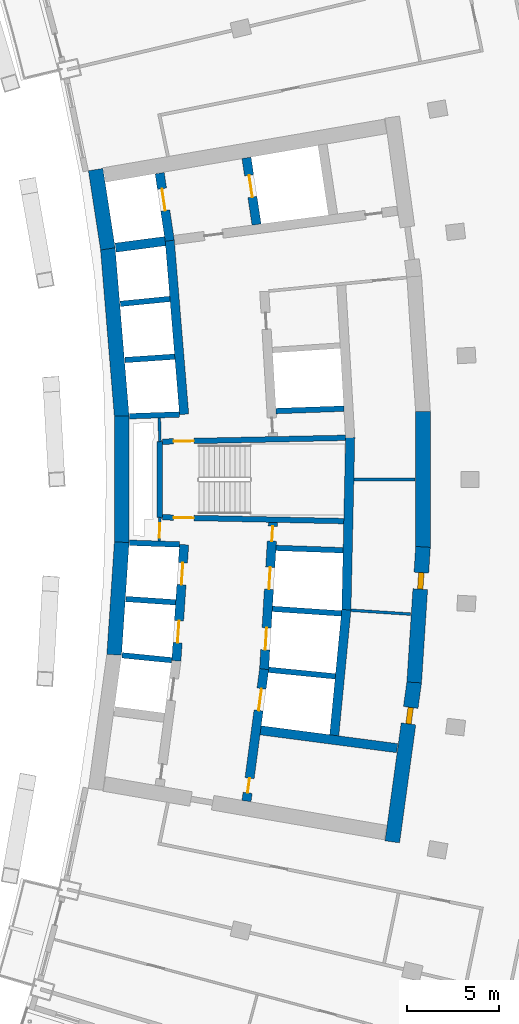
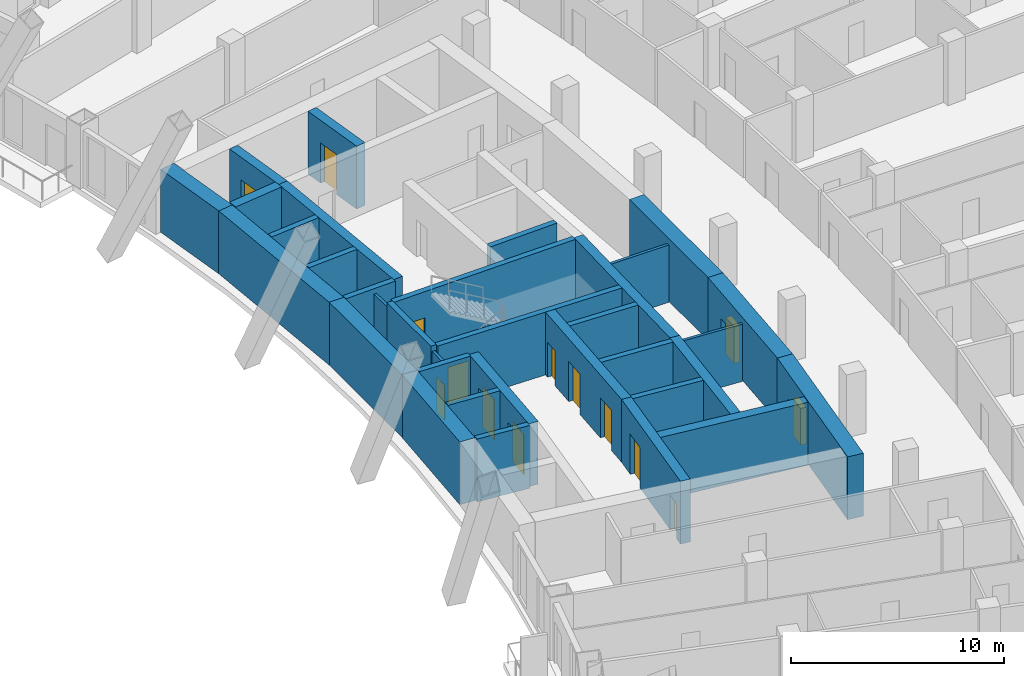
# One storey, part 16 of 25: 34 walls, 14 doors, 14 openings.
"""IFC4 building model written with IfcOpenShell, lengths in metres."""

from ifc_helpers import new_model, si_unit, direction, frame, frame_2d, origin, place, context, subcontext, project, spatial, rectangle, extrude, material, layer, layer_set, type_object, element, fill, save


model = new_model("IFC4")

# Units and contexts
model_context = context("Model", 3, precision=1e-05, world=origin(), true_north=direction((0.0, 1.0)))
body_context = subcontext(model_context, "Body", "Model", "MODEL_VIEW")
ifc_project = project(units=[si_unit("LENGTHUNIT", "METRE"), si_unit("AREAUNIT", "SQUARE_METRE"), si_unit("VOLUMEUNIT", "CUBIC_METRE"), si_unit("PLANEANGLEUNIT", "RADIAN"), si_unit("MASSUNIT", "GRAM", prefix="KILO")], contexts=[model_context])

# Site, building, storey
site_placement = place(None, origin())
site = spatial("IfcSite", under=ifc_project, at=site_placement, CompositionType="ELEMENT")
building_placement = place(site_placement, origin())
building = spatial("IfcBuilding", under=site, at=building_placement, Name="Alderwake Tower", CompositionType="ELEMENT")
storey_placement = place(building_placement, frame((0.0, 0.0, 93.199951171875)))
storey = spatial("IfcBuildingStorey", under=building, at=storey_placement, Name="L22", CompositionType="ELEMENT", Elevation=93.199951171875)

# Wall, opening, door
ifc_material_1 = material(Name="Gypsum shaft wall system, rated")
ifc_layer_1 = layer(ifc_material_1, 0.14990234375)
ifc_layer_set_1 = layer_set([ifc_layer_1], Name="Core room partition 150")
wall_type_1 = type_object("IfcWallType", Name="Core room partition 150", PredefinedType="PARTITIONING", material=ifc_layer_set_1)
wall_1_placement = place(storey_placement, frame((18.918701171875, 58.94384765625, 0.0), z_axis=(0.0, 0.0, 1.0), x_axis=(-0.027348257573, -0.999625966453, 0.0)))
wall_1 = element("IfcWall", 1, at=wall_1_placement, inside=storey, type_object=wall_type_1, Name="CW/L22/PA+24_-37", PredefinedType="PARTITIONING", context=body_context, shape_type="SweptSolid", body=[
    extrude(rectangle(XDim=1.29443359375, YDim=0.14990234375, at=frame_2d((0.647216796875, 0.0))), origin(), (0.0, 0.0, 1.0), 3.280029296875),
])
opening_1_placement = place(wall_1_placement, frame((0.322998046875, 0.0, 0.0)))
opening_1 = element("IfcOpeningElement", 2, at=opening_1_placement, cuts=wall_1, Name="Opening C004", PredefinedType="OPENING", context=body_context, shape_type="SweptSolid", body=[
    extrude(rectangle(XDim=0.800048828125, YDim=2.0, at=frame_2d((0.39990234375, 1.0))), frame((0.0, 0.0849609375, 0.0), z_axis=(0.0, -1.0, 0.0), x_axis=(1.0, 0.0, 0.0)), (0.0, 0.0, 1.0), 0.169921875),
])
ifc_material_2 = material(Name="Painted steel leaf, rated", Category="steel")
door_type_1 = type_object("IfcDoorType", Name="Riser access door 800", OperationType="SINGLE_SWING_LEFT", PredefinedType="DOOR", material=ifc_material_2)
door_1_placement = place(opening_1_placement, origin())
door_1 = element("IfcDoor", 3, at=door_1_placement, inside=storey, type_object=door_type_1, Name="Riser access door", OperationType="SINGLE_SWING_RIGHT", OverallHeight=2.0, OverallWidth=0.800048828125, PredefinedType="DOOR", context=body_context, shape_type="SweptSolid", body=[
    extrude(rectangle(XDim=0.800048828125, YDim=2.0, at=frame_2d((0.39990234375, 1.0))), frame((0.0, 0.02490234375, 0.0), z_axis=(0.0, -1.0, 0.0), x_axis=(1.0, 0.0, 0.0)), (0.0, 0.0, 1.0), 0.050048828125),
])
fill(opening_1, door_1)

# Walls
wall_2_placement = place(storey_placement, frame((18.918701171875, 63.05517578125, 0.0), z_axis=(0.0, 0.0, 1.0), x_axis=(-0.027327648352, 0.999626530078, 0.0)))
element("IfcWall", 4, at=wall_2_placement, inside=storey, type_object=wall_type_1, Name="CW/L22/PA+24_+22", PredefinedType="PARTITIONING", context=body_context, shape_type="SweptSolid", body=[
    extrude(rectangle(XDim=1.29541015625, YDim=0.14990234375, at=frame_2d((0.647705078125, 0.0))), origin(), (0.0, 0.0, 1.0), 3.280029296875),
])
wall_3_placement = place(storey_placement, frame((29.318603515625, 53.88134765625, 0.0), z_axis=(0.0, 0.0, 1.0), x_axis=(0.997885072108, -0.065002945035, 0.0)))
element("IfcWall", 5, at=wall_3_placement, inside=storey, type_object=wall_type_1, Name="CW/L22/PR-68_+128", PredefinedType="PARTITIONING", context=body_context, shape_type="SweptSolid", body=[
    extrude(rectangle(XDim=3.260009765625, YDim=0.14990234375, at=frame_2d((1.6298828125, 0.0))), origin(), (0.0, 0.0, 1.0), 3.280029296875),
])
wall_4_placement = place(storey_placement, frame((29.47607421875, 61.0, 0.0), z_axis=(0.0, 0.0, 1.0), x_axis=(1.0, 0.0, 0.0)))
element("IfcWall", 6, at=wall_4_placement, inside=storey, type_object=wall_type_1, Name="CW/L22/PR+0_+128", PredefinedType="PARTITIONING", context=body_context, shape_type="SweptSolid", body=[
    extrude(rectangle(XDim=3.333984375, YDim=0.14990234375, at=frame_2d((1.6669921875, 0.0))), origin(), (0.0, 0.0, 1.0), 3.280029296875),
])
ifc_material_3 = material(Name="Concrete C70/85", Category="concrete")
ifc_layer_2 = layer(ifc_material_3, 0.800048828125)
ifc_layer_set_2 = layer_set([ifc_layer_2], Name="Core wall outer 800 C70-85")
wall_type_2 = type_object("IfcWallType", Name="Core wall outer 800 C70-85", PredefinedType="SHEAR", material=ifc_layer_set_2)
wall_5_placement = place(storey_placement, frame((16.429443359375, 51.45654296875, 0.0), z_axis=(0.0, 0.0, 1.0), x_axis=(0.066885651624, 0.997760647454, 0.0)))
element("IfcWall", 7, at=wall_5_placement, inside=storey, type_object=wall_type_2, Name="Core wall CW.041", PredefinedType="SHEAR", context=body_context, shape_type="SweptSolid", body=[
    extrude(rectangle(XDim=6.14306640625, YDim=0.800048828125, at=frame_2d((3.071533203125, 0.0))), origin(), (0.0, 0.0, 1.0), 3.60009765625),
])
wall_6_placement = place(storey_placement, frame((16.83935546875, 57.558349609375, 0.0), z_axis=(0.0, 0.0, 1.0), x_axis=(0.0, 1.0, 0.0)))
element("IfcWall", 8, at=wall_6_placement, inside=storey, type_object=wall_type_2, Name="Core wall CW.043", PredefinedType="SHEAR", context=body_context, shape_type="SweptSolid", body=[
    extrude(rectangle(XDim=6.886474609375, YDim=0.800048828125, at=frame_2d((3.443359375, 0.0))), origin(), (0.0, 0.0, 1.0), 3.60009765625),
])
wall_7_placement = place(storey_placement, frame((16.8408203125, 64.410888671875, 0.0), z_axis=(0.0, 0.0, 1.0), x_axis=(-0.082619502339, 0.996581164699, 0.0)))
element("IfcWall", 9, at=wall_7_placement, inside=storey, type_object=wall_type_2, Name="Core wall CW.040", PredefinedType="SHEAR", context=body_context, shape_type="SweptSolid", body=[
    extrude(rectangle(XDim=9.201904296875, YDim=0.800048828125, at=frame_2d((4.60107421875, 0.0))), origin(), (0.0, 0.0, 1.0), 3.60009765625),
])
wall_8_placement = place(storey_placement, frame((16.083984375, 73.552490234375, 0.0), z_axis=(0.0, 0.0, 1.0), x_axis=(-0.151981606421, 0.988383322052, 0.0)))
element("IfcWall", 10, at=wall_8_placement, inside=storey, type_object=wall_type_2, Name="Core wall CW.039", PredefinedType="SHEAR", context=body_context, shape_type="SweptSolid", body=[
    extrude(rectangle(XDim=4.369384765625, YDim=0.800048828125, at=frame_2d((2.1845703125, 0.0))), origin(), (0.0, 0.0, 1.0), 3.60009765625),
])

# Wall, opening, door
wall_9_placement = place(storey_placement, frame((32.763427734375, 49.980712890625, 0.0), z_axis=(0.0, 0.0, 1.0), x_axis=(-0.135838347444, -0.990731014637, 0.0)))
wall_9 = element("IfcWall", 11, at=wall_9_placement, inside=storey, type_object=wall_type_2, Name="Core wall CW.012", PredefinedType="SHEAR", context=body_context, shape_type="SweptSolid", body=[
    extrude(rectangle(XDim=8.788818359375, YDim=0.800048828125, at=frame_2d((4.39453125, 0.0))), origin(), (0.0, 0.0, 1.0), 3.60009765625),
])
opening_2_placement = place(wall_9_placement, frame((1.40576171875, 0.0, 0.0)))
opening_2 = element("IfcOpeningElement", 12, at=opening_2_placement, cuts=wall_9, Name="Opening C049", PredefinedType="OPENING", context=body_context, shape_type="SweptSolid", body=[
    extrude(rectangle(XDim=0.89990234375, YDim=2.10009765625, at=frame_2d((0.449951171875, 1.050048828125))), frame((0.0, 0.409912109375, 0.0), z_axis=(0.0, -1.0, 0.0), x_axis=(1.0, 0.0, 0.0)), (0.0, 0.0, 1.0), 0.820068359375),
])
ifc_material_4 = material(Name="Painted steel leaf", Category="steel")
door_type_2 = type_object("IfcDoorType", Name="Core room door 900", OperationType="SINGLE_SWING_LEFT", PredefinedType="DOOR", material=ifc_material_4)
door_2_placement = place(opening_2_placement, origin())
door_2 = element("IfcDoor", 13, at=door_2_placement, inside=storey, type_object=door_type_2, Name="Room door", OperationType="SINGLE_SWING_LEFT", OverallHeight=2.10009765625, OverallWidth=0.89990234375, PredefinedType="DOOR", context=body_context, shape_type="SweptSolid", body=[
    extrude(rectangle(XDim=0.89990234375, YDim=2.10009765625, at=frame_2d((0.449951171875, 1.050048828125))), frame((0.0, 0.14990234375, 0.0), z_axis=(0.0, -1.0, 0.0), x_axis=(1.0, 0.0, 0.0)), (0.0, 0.0, 1.0), 0.300048828125),
])
fill(opening_2, door_2)

wall_10_placement = place(storey_placement, frame((33.240966796875, 57.330322265625, 0.0), z_axis=(0.0, 0.0, 1.0), x_axis=(-0.064976219143, -0.997886812693, 0.0)))
wall_10 = element("IfcWall", 14, at=wall_10_placement, inside=storey, type_object=wall_type_2, Name="Core wall CW.011", PredefinedType="SHEAR", context=body_context, shape_type="SweptSolid", body=[
    extrude(rectangle(XDim=7.39453125, YDim=0.800048828125, at=frame_2d((3.697265625, 0.0))), origin(), (0.0, 0.0, 1.0), 3.60009765625),
])
opening_3_placement = place(wall_10_placement, frame((1.40478515625, 0.0, 0.0)))
opening_3 = element("IfcOpeningElement", 15, at=opening_3_placement, cuts=wall_10, Name="Opening C028", PredefinedType="OPENING", context=body_context, shape_type="SweptSolid", body=[
    extrude(rectangle(XDim=0.89990234375, YDim=2.10009765625, at=frame_2d((0.449951171875, 1.050048828125))), frame((0.0, 0.409912109375, 0.0), z_axis=(0.0, -1.0, 0.0), x_axis=(1.0, 0.0, 0.0)), (0.0, 0.0, 1.0), 0.820068359375),
])
door_3_placement = place(opening_3_placement, origin())
door_3 = element("IfcDoor", 16, at=door_3_placement, inside=storey, type_object=door_type_2, Name="Room door", OperationType="SINGLE_SWING_LEFT", OverallHeight=2.10009765625, OverallWidth=0.89990234375, PredefinedType="DOOR", context=body_context, shape_type="SweptSolid", body=[
    extrude(rectangle(XDim=0.89990234375, YDim=2.10009765625, at=frame_2d((0.449951171875, 1.050048828125))), frame((0.0, 0.14990234375, 0.0), z_axis=(0.0, -1.0, 0.0), x_axis=(1.0, 0.0, 0.0)), (0.0, 0.0, 1.0), 0.300048828125),
])
fill(opening_3, door_3)

# Walls
wall_11_placement = place(storey_placement, frame((33.239990234375, 57.30322265625, 0.0), z_axis=(0.0, 0.0, 1.0), x_axis=(0.0, 1.0, 0.0)))
element("IfcWall", 17, at=wall_11_placement, inside=storey, type_object=wall_type_2, Name="Core wall CW.013", PredefinedType="SHEAR", context=body_context, shape_type="SweptSolid", body=[
    extrude(rectangle(XDim=7.3935546875, YDim=0.800048828125, at=frame_2d((3.69677734375, 0.0))), origin(), (0.0, 0.0, 1.0), 3.60009765625),
])
ifc_material_5 = material(Name="Concrete C70/85", Category="concrete")
ifc_layer_3 = layer(ifc_material_5, 0.300048828125)
ifc_layer_set_3 = layer_set([ifc_layer_3], Name="Core wall shaft 300 C70-85")
wall_type_3 = type_object("IfcWallType", Name="Core wall shaft 300 C70-85", PredefinedType="SHEAR", material=ifc_layer_set_3)
wall_12_placement = place(storey_placement, frame((16.8583984375, 51.4287109375, 0.0), z_axis=(0.0, 0.0, 1.0), x_axis=(0.995157330456, -0.098294901394, 0.0)))
element("IfcWall", 18, at=wall_12_placement, inside=storey, type_object=wall_type_3, Name="Core wall CW.065", PredefinedType="SHEAR", context=body_context, shape_type="SweptSolid", body=[
    extrude(rectangle(XDim=2.7197265625, YDim=0.300048828125, at=frame_2d((1.35986328125, 0.0))), origin(), (0.0, 0.0, 1.0), 3.60009765625),
])
wall_13_placement = place(storey_placement, frame((24.839599609375, 50.64013671875, 0.0), z_axis=(0.0, 0.0, 1.0), x_axis=(0.995151214483, -0.098356801055, 0.0)))
element("IfcWall", 19, at=wall_13_placement, inside=storey, type_object=wall_type_3, Name="Core wall CW.066", PredefinedType="SHEAR", context=body_context, shape_type="SweptSolid", body=[
    extrude(rectangle(XDim=3.646240234375, YDim=0.300048828125, at=frame_2d((1.8232421875, 0.0))), origin(), (0.0, 0.0, 1.0), 3.60009765625),
])
wall_14_placement = place(storey_placement, frame((17.06396484375, 54.492919921875, 0.0), z_axis=(0.0, 0.0, 1.0), x_axis=(0.997758851023, -0.066912444326, 0.0)))
element("IfcWall", 20, at=wall_14_placement, inside=storey, type_object=wall_type_3, Name="Core wall CW.079", PredefinedType="SHEAR", context=body_context, shape_type="SweptSolid", body=[
    extrude(rectangle(XDim=2.71826171875, YDim=0.300048828125, at=frame_2d((1.359130859375, 0.0))), origin(), (0.0, 0.0, 1.0), 3.60009765625),
])
wall_15_placement = place(storey_placement, frame((25.0400390625, 53.9580078125, 0.0), z_axis=(0.0, 0.0, 1.0), x_axis=(0.997761584708, -0.06687166875, 0.0)))
element("IfcWall", 21, at=wall_15_placement, inside=storey, type_object=wall_type_3, Name="Core wall CW.080", PredefinedType="SHEAR", context=body_context, shape_type="SweptSolid", body=[
    extrude(rectangle(XDim=3.767822265625, YDim=0.300048828125, at=frame_2d((1.8837890625, 0.0))), origin(), (0.0, 0.0, 1.0), 3.60009765625),
])
wall_16_placement = place(storey_placement, frame((17.269287109375, 57.556884765625, 0.0), z_axis=(0.0, 0.0, 1.0), x_axis=(0.999374351644, -0.035368139275, 0.0)))
element("IfcWall", 22, at=wall_16_placement, inside=storey, type_object=wall_type_3, Name="Core wall CW.076", PredefinedType="SHEAR", context=body_context, shape_type="SweptSolid", body=[
    extrude(rectangle(XDim=2.7197265625, YDim=0.300048828125, at=frame_2d((1.35986328125, 0.0))), origin(), (0.0, 0.0, 1.0), 3.60009765625),
])
wall_17_placement = place(storey_placement, frame((25.240478515625, 57.27490234375, 0.0), z_axis=(0.0, 0.0, 1.0), x_axis=(0.9993723549, -0.035424514988, 0.0)))
element("IfcWall", 23, at=wall_17_placement, inside=storey, type_object=wall_type_3, Name="Core wall CW.077", PredefinedType="SHEAR", context=body_context, shape_type="SweptSolid", body=[
    extrude(rectangle(XDim=3.652587890625, YDim=0.300048828125, at=frame_2d((1.826171875, 0.0))), origin(), (0.0, 0.0, 1.0), 3.60009765625),
])
wall_18_placement = place(storey_placement, frame((17.269287109375, 64.443115234375, 0.0), z_axis=(0.0, 0.0, 1.0), x_axis=(0.999374239339, 0.03537131246, 0.0)))
element("IfcWall", 24, at=wall_18_placement, inside=storey, type_object=wall_type_3, Name="Core wall CW.059", PredefinedType="SHEAR", context=body_context, shape_type="SweptSolid", body=[
    extrude(rectangle(XDim=2.719482421875, YDim=0.300048828125, at=frame_2d((1.35986328125, 0.0))), origin(), (0.0, 0.0, 1.0), 3.60009765625),
])
wall_19_placement = place(storey_placement, frame((25.2412109375, 64.725341796875, 0.0), z_axis=(0.0, 0.0, 1.0), x_axis=(0.999374587701, 0.035361468546, 0.0)))
element("IfcWall", 25, at=wall_19_placement, inside=storey, type_object=wall_type_3, Name="Core wall CW.060", PredefinedType="SHEAR", context=body_context, shape_type="SweptSolid", body=[
    extrude(rectangle(XDim=3.693603515625, YDim=0.300048828125, at=frame_2d((1.8466796875, 0.0))), origin(), (0.0, 0.0, 1.0), 3.60009765625),
])
for number, where, z_axis, x_axis, name in (
    (26, (17.015869140625, 67.50390625, 0.0), (0.0, 0.0, 1.0), (0.997756033475, 0.066954444689, 0.0), "Core wall CW.062"),
    (27, (16.76220703125, 70.561767578125, 0.0), (0.0, 0.0, 1.0), (0.995154832978, 0.098320183083, 0.0), "Core wall CW.050"),
):
    element("IfcWall", number, at=place(storey_placement, frame(where, z_axis=z_axis, x_axis=x_axis)), inside=storey, type_object=wall_type_3, Name=name, PredefinedType="SHEAR", context=body_context, shape_type="SweptSolid", body=[
        extrude(rectangle(XDim=2.716552734375, YDim=0.300048828125, at=frame_2d((1.3583984375, 0.0))), origin(), (0.0, 0.0, 1.0), 3.60009765625),
    ])

# Wall, openings, doors
ifc_material_6 = material(Name="Concrete C70/85", Category="concrete")
ifc_layer_4 = layer(ifc_material_6, 0.5)
ifc_layer_set_4 = layer_set([ifc_layer_4], Name="Core wall spine 500 C70-85")
wall_type_4 = type_object("IfcWallType", Name="Core wall spine 500 C70-85", PredefinedType="SHEAR", material=ifc_layer_set_4)
wall_20_placement = place(storey_placement, frame((19.813232421875, 51.1279296875, 0.0), z_axis=(0.0, 0.0, 1.0), x_axis=(0.066907604831, 0.997759175561, 0.0)))
wall_20 = element("IfcWall", 28, at=wall_20_placement, inside=storey, type_object=wall_type_4, Name="Core wall CW.032", PredefinedType="SHEAR", context=body_context, shape_type="SweptSolid", body=[
    extrude(rectangle(XDim=6.338134765625, YDim=0.5, at=frame_2d((3.1689453125, 0.0))), origin(), (0.0, 0.0, 1.0), 3.60009765625),
])
opening_4_placement = place(wall_20_placement, frame((0.990966796875, 0.0, 0.0)))
opening_4 = element("IfcOpeningElement", 29, at=opening_4_placement, cuts=wall_20, Name="Opening LD-LP2", PredefinedType="OPENING", context=body_context, shape_type="SweptSolid", body=[
    extrude(rectangle(XDim=1.199951171875, YDim=2.300048828125, at=frame_2d((0.60009765625, 1.14990234375))), frame((0.0, 0.260009765625, 0.0), z_axis=(0.0, -1.0, 0.0), x_axis=(1.0, 0.0, 0.0)), (0.0, 0.0, 1.0), 0.52001953125),
])
opening_5_placement = place(wall_20_placement, frame((4.156005859375, 0.0, 0.0)))
opening_5 = element("IfcOpeningElement", 30, at=opening_5_placement, cuts=wall_20, Name="Opening LD-LP3", PredefinedType="OPENING", context=body_context, shape_type="SweptSolid", body=[
    extrude(rectangle(XDim=1.199951171875, YDim=2.300048828125, at=frame_2d((0.60009765625, 1.14990234375))), frame((0.0, 0.260009765625, 0.0), z_axis=(0.0, -1.0, 0.0), x_axis=(1.0, 0.0, 0.0)), (0.0, 0.0, 1.0), 0.52001953125),
])
ifc_material_7 = material(Name="Stainless steel sliding leaf", Category="steel")
door_type_3 = type_object("IfcDoorType", Name="Lift landing door 1200", OperationType="SLIDING_TO_LEFT", PredefinedType="DOOR", material=ifc_material_7)
door_4_placement = place(opening_4_placement, origin())
door_4 = element("IfcDoor", 31, at=door_4_placement, inside=storey, type_object=door_type_3, Name="Lift landing door LP2", OperationType="SLIDING_TO_LEFT", OverallHeight=2.300048828125, OverallWidth=1.199951171875, PredefinedType="DOOR", context=body_context, shape_type="SweptSolid", body=[
    extrude(rectangle(XDim=1.199951171875, YDim=2.300048828125, at=frame_2d((0.60009765625, 1.14990234375))), frame((0.0, 0.02490234375, 0.0), z_axis=(0.0, -1.0, 0.0), x_axis=(1.0, 0.0, 0.0)), (0.0, 0.0, 1.0), 0.050048828125),
])
fill(opening_4, door_4)
door_5_placement = place(opening_5_placement, origin())
door_5 = element("IfcDoor", 32, at=door_5_placement, inside=storey, type_object=door_type_3, Name="Lift landing door LP3", OperationType="SLIDING_TO_LEFT", OverallHeight=2.300048828125, OverallWidth=1.199951171875, PredefinedType="DOOR", context=body_context, shape_type="SweptSolid", body=[
    extrude(rectangle(XDim=1.199951171875, YDim=2.300048828125, at=frame_2d((0.60009765625, 1.14990234375))), frame((0.0, 0.02490234375, 0.0), z_axis=(0.0, -1.0, 0.0), x_axis=(1.0, 0.0, 0.0)), (0.0, 0.0, 1.0), 0.050048828125),
])
fill(opening_5, door_5)

# Wall
wall_21_placement = place(storey_placement, frame((20.2373046875, 64.548095703125, 0.0), z_axis=(0.0, 0.0, 1.0), x_axis=(-0.082641410547, 0.996579348202, 0.0)))
element("IfcWall", 33, at=wall_21_placement, inside=storey, type_object=wall_type_4, Name="Core wall CW.031", PredefinedType="SHEAR", context=body_context, shape_type="SweptSolid", body=[
    extrude(rectangle(XDim=9.500732421875, YDim=0.5, at=frame_2d((4.75048828125, 0.0))), origin(), (0.0, 0.0, 1.0), 3.60009765625),
])

# Wall, opening, door
wall_22_placement = place(storey_placement, frame((19.4541015625, 73.9990234375, 0.0), z_axis=(0.0, 0.0, 1.0), x_axis=(-0.14792928808, 0.988997940204, 0.0)))
wall_22 = element("IfcWall", 34, at=wall_22_placement, inside=storey, type_object=wall_type_4, Name="Core wall CW.030", PredefinedType="SHEAR", context=body_context, shape_type="SweptSolid", body=[
    extrude(rectangle(XDim=3.716552734375, YDim=0.5, at=frame_2d((1.8583984375, 0.0))), origin(), (0.0, 0.0, 1.0), 3.60009765625),
])
opening_6_placement = place(wall_22_placement, frame((1.66259765625, 0.0, 0.0)))
opening_6 = element("IfcOpeningElement", 35, at=opening_6_placement, cuts=wall_22, Name="Opening LD-FF1", PredefinedType="OPENING", context=body_context, shape_type="SweptSolid", body=[
    extrude(rectangle(XDim=1.199951171875, YDim=2.300048828125, at=frame_2d((0.60009765625, 1.14990234375))), frame((0.0, 0.260009765625, 0.0), z_axis=(0.0, -1.0, 0.0), x_axis=(1.0, 0.0, 0.0)), (0.0, 0.0, 1.0), 0.52001953125),
])
door_6_placement = place(opening_6_placement, origin())
door_6 = element("IfcDoor", 36, at=door_6_placement, inside=storey, type_object=door_type_3, Name="Lift landing door FF1", OperationType="SLIDING_TO_LEFT", OverallHeight=2.300048828125, OverallWidth=1.199951171875, PredefinedType="DOOR", context=body_context, shape_type="SweptSolid", body=[
    extrude(rectangle(XDim=1.199951171875, YDim=2.300048828125, at=frame_2d((0.60009765625, 1.14990234375))), frame((0.0, 0.02490234375, 0.0), z_axis=(0.0, -1.0, 0.0), x_axis=(1.0, 0.0, 0.0)), (0.0, 0.0, 1.0), 0.050048828125),
])
fill(opening_6, door_6)

# Wall, openings, doors
wall_23_placement = place(storey_placement, frame((23.631103515625, 43.489501953125, 0.0), z_axis=(0.0, 0.0, 1.0), x_axis=(0.132532135635, 0.991178708924, 0.0)))
wall_23 = element("IfcWall", 37, at=wall_23_placement, inside=storey, type_object=wall_type_4, Name="Core wall CW.047", PredefinedType="SHEAR", context=body_context, shape_type="SweptSolid", body=[
    extrude(rectangle(XDim=7.248779296875, YDim=0.5, at=frame_2d((3.62451171875, 0.0))), origin(), (0.0, 0.0, 1.0), 3.60009765625),
])
opening_7_placement = place(wall_23_placement, frame((4.981201171875, 0.0, 0.0)))
opening_7 = element("IfcOpeningElement", 38, at=opening_7_placement, cuts=wall_23, Name="Opening LD-LP4", PredefinedType="OPENING", context=body_context, shape_type="SweptSolid", body=[
    extrude(rectangle(XDim=1.199951171875, YDim=2.300048828125, at=frame_2d((0.60009765625, 1.14990234375))), frame((0.0, 0.260009765625, 0.0), z_axis=(0.0, -1.0, 0.0), x_axis=(1.0, 0.0, 0.0)), (0.0, 0.0, 1.0), 0.52001953125),
])
opening_8_placement = place(wall_23_placement, frame((0.4580078125, 0.0, 0.0)))
opening_8 = element("IfcOpeningElement", 39, at=opening_8_placement, cuts=wall_23, Name="Opening C014", PredefinedType="OPENING", context=body_context, shape_type="SweptSolid", body=[
    extrude(rectangle(XDim=0.800048828125, YDim=2.0, at=frame_2d((0.39990234375, 1.0))), frame((0.0, 0.260009765625, 0.0), z_axis=(0.0, -1.0, 0.0), x_axis=(1.0, 0.0, 0.0)), (0.0, 0.0, 1.0), 0.52001953125),
])
door_7_placement = place(opening_7_placement, origin())
door_7 = element("IfcDoor", 40, at=door_7_placement, inside=storey, type_object=door_type_3, Name="Lift landing door LP4", OperationType="SLIDING_TO_LEFT", OverallHeight=2.300048828125, OverallWidth=1.199951171875, PredefinedType="DOOR", context=body_context, shape_type="SweptSolid", body=[
    extrude(rectangle(XDim=1.199951171875, YDim=2.300048828125, at=frame_2d((0.60009765625, 1.14990234375))), frame((0.0, 0.02490234375, 0.0), z_axis=(0.0, -1.0, 0.0), x_axis=(1.0, 0.0, 0.0)), (0.0, 0.0, 1.0), 0.050048828125),
])
fill(opening_7, door_7)
door_8_placement = place(opening_8_placement, origin())
door_8 = element("IfcDoor", 41, at=door_8_placement, inside=storey, type_object=door_type_1, Name="Riser access door", OperationType="SINGLE_SWING_RIGHT", OverallHeight=2.0, OverallWidth=0.800048828125, PredefinedType="DOOR", context=body_context, shape_type="SweptSolid", body=[
    extrude(rectangle(XDim=0.800048828125, YDim=2.0, at=frame_2d((0.39990234375, 1.0))), frame((0.0, 0.02490234375, 0.0), z_axis=(0.0, -1.0, 0.0), x_axis=(1.0, 0.0, 0.0)), (0.0, 0.0, 1.0), 0.050048828125),
])
fill(opening_8, door_8)

wall_24_placement = place(storey_placement, frame((24.590087890625, 50.655029296875, 0.0), z_axis=(0.0, 0.0, 1.0), x_axis=(0.060305817737, 0.998179947879, 0.0)))
wall_24 = element("IfcWall", 42, at=wall_24_placement, inside=storey, type_object=wall_type_4, Name="Core wall CW.046", PredefinedType="SHEAR", context=body_context, shape_type="SweptSolid", body=[
    extrude(rectangle(XDim=8.02392578125, YDim=0.5, at=frame_2d((4.011962890625, 0.0))), origin(), (0.0, 0.0, 1.0), 3.60009765625),
])
opening_9_placement = place(wall_24_placement, frame((1.067138671875, 0.0, 0.0)))
opening_9 = element("IfcOpeningElement", 43, at=opening_9_placement, cuts=wall_24, Name="Opening LD-LP5", PredefinedType="OPENING", context=body_context, shape_type="SweptSolid", body=[
    extrude(rectangle(XDim=1.199951171875, YDim=2.300048828125, at=frame_2d((0.60009765625, 1.14990234375))), frame((0.0, 0.260009765625, 0.0), z_axis=(0.0, -1.0, 0.0), x_axis=(1.0, 0.0, 0.0)), (0.0, 0.0, 1.0), 0.52001953125),
])
opening_10_placement = place(wall_24_placement, frame((4.383544921875, 0.0, 0.0)))
opening_10 = element("IfcOpeningElement", 44, at=opening_10_placement, cuts=wall_24, Name="Opening LD-LP6", PredefinedType="OPENING", context=body_context, shape_type="SweptSolid", body=[
    extrude(rectangle(XDim=1.199951171875, YDim=2.300048828125, at=frame_2d((0.60009765625, 1.14990234375))), frame((0.0, 0.260009765625, 0.0), z_axis=(0.0, -1.0, 0.0), x_axis=(1.0, 0.0, 0.0)), (0.0, 0.0, 1.0), 0.52001953125),
])
opening_11_placement = place(wall_24_placement, frame((7.0078125, 0.0, 0.0)))
opening_11 = element("IfcOpeningElement", 45, at=opening_11_placement, cuts=wall_24, Name="Opening C006", PredefinedType="OPENING", context=body_context, shape_type="SweptSolid", body=[
    extrude(rectangle(XDim=0.800048828125, YDim=2.0, at=frame_2d((0.39990234375, 1.0))), frame((0.0, 0.260009765625, 0.0), z_axis=(0.0, -1.0, 0.0), x_axis=(1.0, 0.0, 0.0)), (0.0, 0.0, 1.0), 0.52001953125),
])
door_9_placement = place(opening_9_placement, origin())
door_9 = element("IfcDoor", 46, at=door_9_placement, inside=storey, type_object=door_type_3, Name="Lift landing door LP5", OperationType="SLIDING_TO_LEFT", OverallHeight=2.300048828125, OverallWidth=1.199951171875, PredefinedType="DOOR", context=body_context, shape_type="SweptSolid", body=[
    extrude(rectangle(XDim=1.199951171875, YDim=2.300048828125, at=frame_2d((0.60009765625, 1.14990234375))), frame((0.0, 0.02490234375, 0.0), z_axis=(0.0, -1.0, 0.0), x_axis=(1.0, 0.0, 0.0)), (0.0, 0.0, 1.0), 0.050048828125),
])
fill(opening_9, door_9)
door_10_placement = place(opening_10_placement, origin())
door_10 = element("IfcDoor", 47, at=door_10_placement, inside=storey, type_object=door_type_3, Name="Lift landing door LP6", OperationType="SLIDING_TO_LEFT", OverallHeight=2.300048828125, OverallWidth=1.199951171875, PredefinedType="DOOR", context=body_context, shape_type="SweptSolid", body=[
    extrude(rectangle(XDim=1.199951171875, YDim=2.300048828125, at=frame_2d((0.60009765625, 1.14990234375))), frame((0.0, 0.02490234375, 0.0), z_axis=(0.0, -1.0, 0.0), x_axis=(1.0, 0.0, 0.0)), (0.0, 0.0, 1.0), 0.050048828125),
])
fill(opening_10, door_10)
door_11_placement = place(opening_11_placement, origin())
door_11 = element("IfcDoor", 48, at=door_11_placement, inside=storey, type_object=door_type_1, Name="Riser access door", OperationType="SINGLE_SWING_RIGHT", OverallHeight=2.0, OverallWidth=0.800048828125, PredefinedType="DOOR", context=body_context, shape_type="SweptSolid", body=[
    extrude(rectangle(XDim=0.800048828125, YDim=2.0, at=frame_2d((0.39990234375, 1.0))), frame((0.0, 0.02490234375, 0.0), z_axis=(0.0, -1.0, 0.0), x_axis=(1.0, 0.0, 0.0)), (0.0, 0.0, 1.0), 0.050048828125),
])
fill(opening_11, door_11)

# Wall, opening, door
wall_25_placement = place(storey_placement, frame((24.1796875, 74.878173828125, 0.0), z_axis=(0.0, 0.0, 1.0), x_axis=(-0.149334835296, 0.988786684259, 0.0)))
wall_25 = element("IfcWall", 49, at=wall_25_placement, inside=storey, type_object=wall_type_4, Name="Core wall CW.044", PredefinedType="SHEAR", context=body_context, shape_type="SweptSolid", body=[
    extrude(rectangle(XDim=3.673583984375, YDim=0.5, at=frame_2d((1.8369140625, 0.0))), origin(), (0.0, 0.0, 1.0), 3.60009765625),
])
opening_12_placement = place(wall_25_placement, frame((1.51171875, 0.0, 0.0)))
opening_12 = element("IfcOpeningElement", 50, at=opening_12_placement, cuts=wall_25, Name="Opening LD-FF2", PredefinedType="OPENING", context=body_context, shape_type="SweptSolid", body=[
    extrude(rectangle(XDim=1.199951171875, YDim=2.300048828125, at=frame_2d((0.60009765625, 1.14990234375))), frame((0.0, 0.260009765625, 0.0), z_axis=(0.0, -1.0, 0.0), x_axis=(1.0, 0.0, 0.0)), (0.0, 0.0, 1.0), 0.52001953125),
])
door_12_placement = place(opening_12_placement, origin())
door_12 = element("IfcDoor", 51, at=door_12_placement, inside=storey, type_object=door_type_3, Name="Lift landing door FF2", OperationType="SLIDING_TO_LEFT", OverallHeight=2.300048828125, OverallWidth=1.199951171875, PredefinedType="DOOR", context=body_context, shape_type="SweptSolid", body=[
    extrude(rectangle(XDim=1.199951171875, YDim=2.300048828125, at=frame_2d((0.60009765625, 1.14990234375))), frame((0.0, 0.02490234375, 0.0), z_axis=(0.0, -1.0, 0.0), x_axis=(1.0, 0.0, 0.0)), (0.0, 0.0, 1.0), 0.050048828125),
])
fill(opening_12, door_12)

# Walls
wall_26_placement = place(storey_placement, frame((28.4091796875, 47.072998046875, 0.0), z_axis=(0.0, 0.0, 1.0), x_axis=(0.096218511654, 0.995360235299, 0.0)))
element("IfcWall", 52, at=wall_26_placement, inside=storey, type_object=wall_type_4, Name="Core wall CW.005", PredefinedType="SHEAR", context=body_context, shape_type="SweptSolid", body=[
    extrude(rectangle(XDim=6.865966796875, YDim=0.5, at=frame_2d((3.43310546875, 0.0))), origin(), (0.0, 0.0, 1.0), 3.60009765625),
])
wall_27_placement = place(storey_placement, frame((29.06884765625, 53.8876953125, 0.0), z_axis=(0.0, 0.0, 1.0), x_axis=(0.022106533109, 0.999755620736, 0.0)))
element("IfcWall", 53, at=wall_27_placement, inside=storey, type_object=wall_type_4, Name="Core wall CW.008", PredefinedType="SHEAR", context=body_context, shape_type="SweptSolid", body=[
    extrude(rectangle(XDim=9.398193359375, YDim=0.5, at=frame_2d((4.69921875, 0.0))), origin(), (0.0, 0.0, 1.0), 3.60009765625),
])
wall_28_placement = place(storey_placement, frame((24.39892578125, 47.345458984375, 0.0), z_axis=(0.0, 0.0, 1.0), x_axis=(0.991552963207, -0.129702433116, 0.0)))
element("IfcWall", 54, at=wall_28_placement, inside=storey, type_object=wall_type_4, Name="Core wall CW.069", PredefinedType="SHEAR", context=body_context, shape_type="SweptSolid", body=[
    extrude(rectangle(XDim=7.4990234375, YDim=0.5, at=frame_2d((3.74951171875, 0.0))), origin(), (0.0, 0.0, 1.0), 3.60009765625),
])
wall_29_placement = place(storey_placement, frame((16.508544921875, 73.62255859375, 0.0), z_axis=(0.0, 0.0, 1.0), x_axis=(0.991548766325, 0.129734513522, 0.0)))
element("IfcWall", 55, at=wall_29_placement, inside=storey, type_object=wall_type_4, Name="Core wall CW.051", PredefinedType="SHEAR", context=body_context, shape_type="SweptSolid", body=[
    extrude(rectangle(XDim=2.71923828125, YDim=0.5, at=frame_2d((1.359619140625, 0.0))), origin(), (0.0, 0.0, 1.0), 3.60009765625),
])
ifc_material_8 = material(Name="Concrete C70/85", Category="concrete")
ifc_layer_5 = layer(ifc_material_8, 0.300048828125)
ifc_layer_set_5 = layer_set([ifc_layer_5], Name="Core wall stair enclosure 300 C70-85")
wall_type_5 = type_object("IfcWallType", Name="Core wall stair enclosure 300 C70-85", PredefinedType="SHEAR", material=ifc_layer_set_5)
wall_30_placement = place(storey_placement, frame((18.918701171875, 58.94091796875, 0.0), z_axis=(0.0, 0.0, 1.0), x_axis=(0.0, 1.0, 0.0)))
element("IfcWall", 56, at=wall_30_placement, inside=storey, type_object=wall_type_5, Name="Core wall CW.024", PredefinedType="SHEAR", context=body_context, shape_type="SweptSolid", body=[
    extrude(rectangle(XDim=4.119384765625, YDim=0.300048828125, at=frame_2d((2.0595703125, 0.0))), origin(), (0.0, 0.0, 1.0), 3.60009765625),
])

# Wall, opening, door
wall_31_placement = place(storey_placement, frame((28.92578125, 58.734130859375, 0.0), z_axis=(0.0, 0.0, 1.0), x_axis=(-0.999783647187, 0.02080045235, 0.0)))
wall_31 = element("IfcWall", 57, at=wall_31_placement, inside=storey, type_object=wall_type_5, Name="Core wall CW.074", PredefinedType="SHEAR", context=body_context, shape_type="SweptSolid", body=[
    extrude(rectangle(XDim=9.859375, YDim=0.300048828125, at=frame_2d((4.9296875, 0.0))), origin(), (0.0, 0.0, 1.0), 3.60009765625),
])
opening_13_placement = place(wall_31_placement, frame((8.159423828125, 0.0, 0.0)))
opening_13 = element("IfcOpeningElement", 58, at=opening_13_placement, cuts=wall_31, Name="Opening C063", PredefinedType="OPENING", context=body_context, shape_type="SweptSolid", body=[
    extrude(rectangle(XDim=1.10009765625, YDim=2.10009765625, at=frame_2d((0.550048828125, 1.050048828125))), frame((0.0, 0.159912109375, 0.0), z_axis=(0.0, -1.0, 0.0), x_axis=(1.0, 0.0, 0.0)), (0.0, 0.0, 1.0), 0.320068359375),
])
ifc_material_9 = material(Name="Steel-framed fire door leaf", Category="steel")
door_type_4 = type_object("IfcDoorType", Name="Core stair door 1100 fire-rated", OperationType="SINGLE_SWING_LEFT", PredefinedType="DOOR", material=ifc_material_9)
door_13_placement = place(opening_13_placement, origin())
door_13 = element("IfcDoor", 59, at=door_13_placement, inside=storey, type_object=door_type_4, Name="Stair door", OperationType="SINGLE_SWING_LEFT", OverallHeight=2.10009765625, OverallWidth=1.10009765625, PredefinedType="DOOR", context=body_context, shape_type="SweptSolid", body=[
    extrude(rectangle(XDim=1.10009765625, YDim=2.10009765625, at=frame_2d((0.550048828125, 1.050048828125))), frame((0.0, 0.02490234375, 0.0), z_axis=(0.0, -1.0, 0.0), x_axis=(1.0, 0.0, 0.0)), (0.0, 0.0, 1.0), 0.050048828125),
])
fill(opening_13, door_13)

wall_32_placement = place(storey_placement, frame((19.068603515625, 63.060791015625, 0.0), z_axis=(0.0, 0.0, 1.0), x_axis=(0.999783418156, 0.020811457903, 0.0)))
wall_32 = element("IfcWall", 60, at=wall_32_placement, inside=storey, type_object=wall_type_5, Name="Core wall CW.057", PredefinedType="SHEAR", context=body_context, shape_type="SweptSolid", body=[
    extrude(rectangle(XDim=9.959716796875, YDim=0.300048828125, at=frame_2d((4.97998046875, 0.0))), origin(), (0.0, 0.0, 1.0), 3.60009765625),
])
opening_14_placement = place(wall_32_placement, frame((0.60009765625, 0.0, 0.0)))
opening_14 = element("IfcOpeningElement", 61, at=opening_14_placement, cuts=wall_32, Name="Opening C064", PredefinedType="OPENING", context=body_context, shape_type="SweptSolid", body=[
    extrude(rectangle(XDim=1.10009765625, YDim=2.10009765625, at=frame_2d((0.550048828125, 1.050048828125))), frame((0.0, 0.159912109375, 0.0), z_axis=(0.0, -1.0, 0.0), x_axis=(1.0, 0.0, 0.0)), (0.0, 0.0, 1.0), 0.320068359375),
])
door_14_placement = place(opening_14_placement, origin())
door_14 = element("IfcDoor", 62, at=door_14_placement, inside=storey, type_object=door_type_4, Name="Stair door", OperationType="SINGLE_SWING_RIGHT", OverallHeight=2.10009765625, OverallWidth=1.10009765625, PredefinedType="DOOR", context=body_context, shape_type="SweptSolid", body=[
    extrude(rectangle(XDim=1.10009765625, YDim=2.10009765625, at=frame_2d((0.550048828125, 1.050048828125))), frame((0.0, 0.02490234375, 0.0), z_axis=(0.0, -1.0, 0.0), x_axis=(1.0, 0.0, 0.0)), (0.0, 0.0, 1.0), 0.050048828125),
])
fill(opening_14, door_14)

save(model, "model.ifc")
